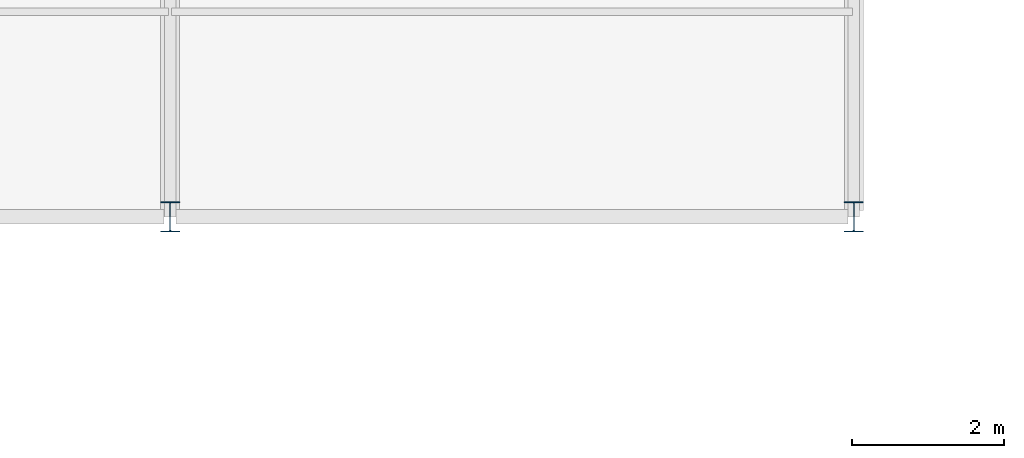
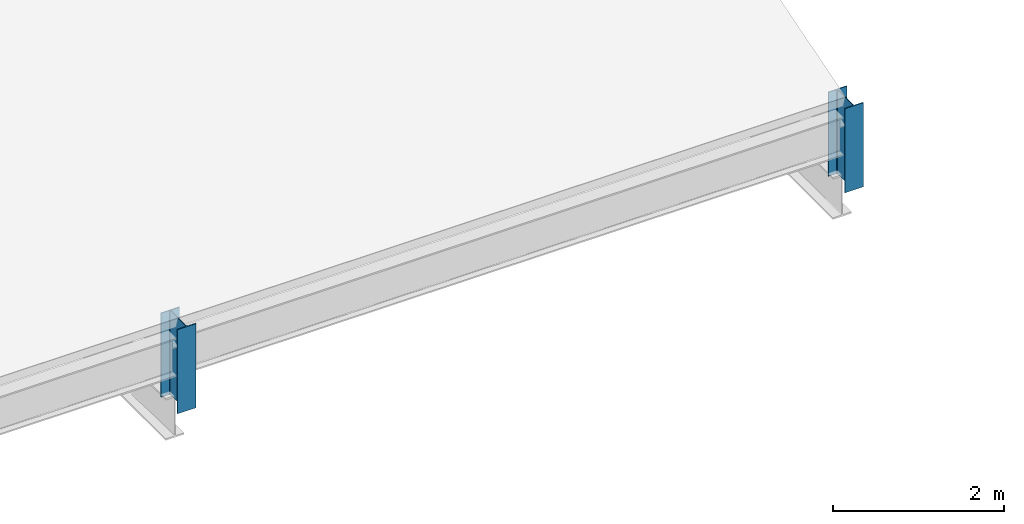
# One storey, part 7 of 163: 2 columns.
"""IFC4 building model written with IfcOpenShell, lengths in metres."""

from ifc_helpers import new_model, si_unit, direction, frame, origin, origin_2d, place, context, subcontext, project, spatial, i_section, extrude, material, material_profile, profile_set, type_object, element, save


model = new_model("IFC4")

# Units and contexts
model_context = context("Model", 3, precision=1e-05, world=origin(), true_north=direction((0.0, 1.0)))
body_context = subcontext(model_context, "Body", "Model", "MODEL_VIEW")
ifc_project = project(units=[si_unit("LENGTHUNIT", "METRE"), si_unit("AREAUNIT", "SQUARE_METRE"), si_unit("VOLUMEUNIT", "CUBIC_METRE"), si_unit("PLANEANGLEUNIT", "RADIAN"), si_unit("MASSUNIT", "GRAM", prefix="KILO")], contexts=[model_context])

# Site, building, storey
site_placement = place(None, origin())
site = spatial("IfcSite", under=ifc_project, at=site_placement, CompositionType="ELEMENT")
building_placement = place(site_placement, origin())
building = spatial("IfcBuilding", under=site, at=building_placement, Name="Tharagai Park Tramway Depot", CompositionType="ELEMENT")
storey_placement = place(building_placement, frame((0.0, 0.0, 8.39990234375)))
storey = spatial("IfcBuildingStorey", under=building, at=storey_placement, Name="L02", CompositionType="ELEMENT", Elevation=8.39990234375)

# Columns
ifc_material = material(Name="Steel E350", Category="steel")
ifc_material_profile = material_profile(ifc_material, i_section(OverallWidth=0.25, OverallDepth=0.39990234375, WebThickness=0.010498046875, FlangeThickness=0.0126953125, FilletRadius=0.013916015625, at=origin_2d()), Name="ISHB 400")
ifc_profile_set = profile_set([ifc_material_profile], Name="Steel E350")
column_type = type_object("IfcColumnType", Name="CL-06", PredefinedType="COLUMN", material=ifc_profile_set)
for number, where, z_axis, x_axis, name in (
    (1, (135.0, 90.0, 0.0), (0.0, 0.0, 1.0), (1.0, 0.0, 0.0), "Shed Roof Stanchion CL-06 (135,90)"),
    (2, (144.0, 90.0, 0.0), (0.0, 0.0, 1.0), (1.0, 0.0, 0.0), "Shed Roof Stanchion CL-06 (144,90)"),
):
    element("IfcColumn", number, at=place(storey_placement, frame(where, z_axis=z_axis, x_axis=x_axis)), inside=storey, type_object=column_type, Name=name, PredefinedType="COLUMN", context=body_context, shape_type="SweptSolid", body=[
        extrude(i_section(OverallWidth=0.25, OverallDepth=0.39990234375, WebThickness=0.010498046875, FlangeThickness=0.0126953125, FilletRadius=0.013916015625, at=origin_2d()), origin(), (0.0, 0.0, 1.0), 1.2001953125),
    ])

save(model, "model.ifc")
